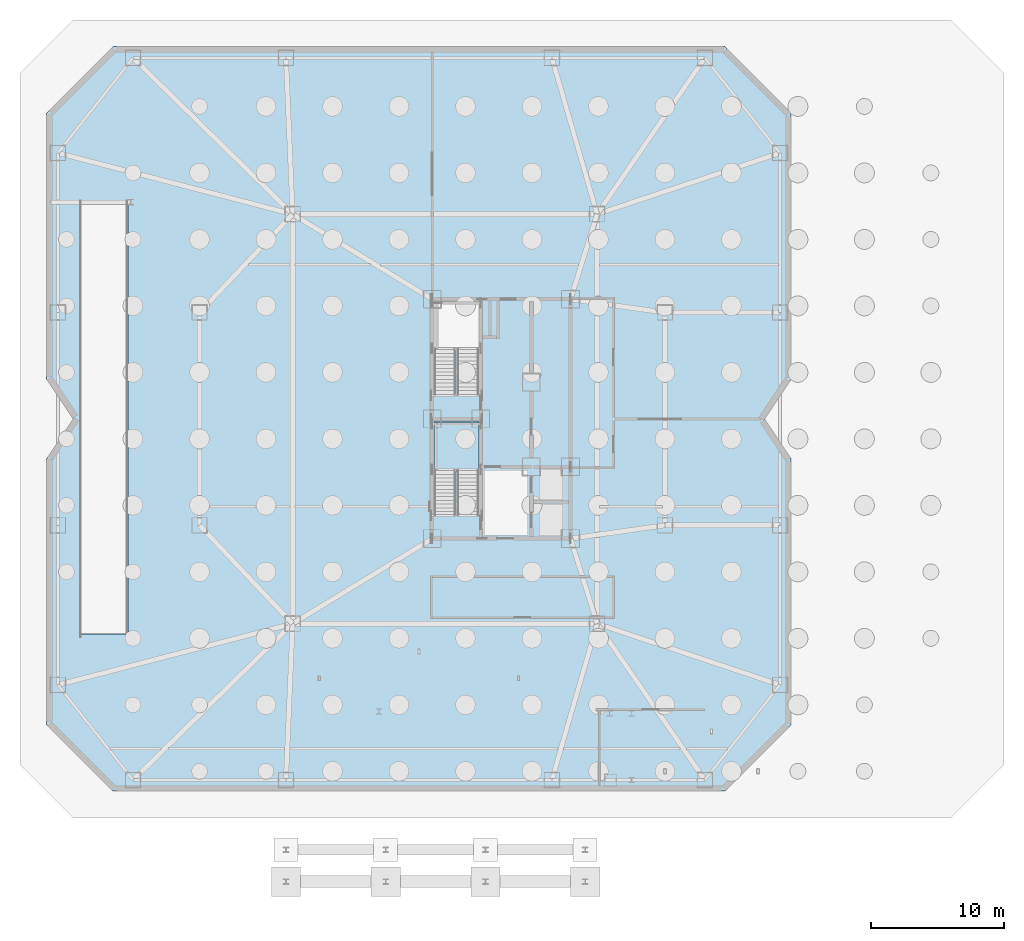
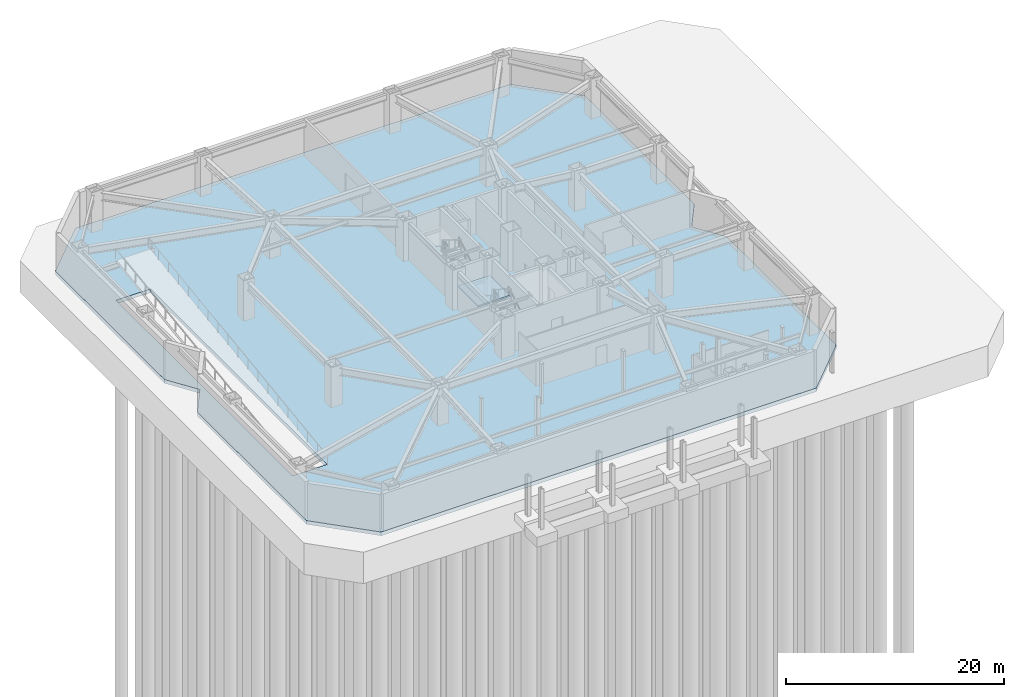
# One storey, part 8 of 15: 2 slabs, 1 element without a shape of its own.
"""IFC4 building model written with IfcOpenShell, lengths in metres."""

from ifc_helpers import new_model, si_unit, direction, frame, origin, place, context, subcontext, project, spatial, polyline, outline, extrude, material, layer, layer_set, type_object, element, aggregate, save


model = new_model("IFC4")

# Units and contexts
model_context = context("Model", 3, precision=1e-05, world=origin(), true_north=direction((0.0, 1.0)))
body_context = subcontext(model_context, "Body", "Model", "MODEL_VIEW")
ifc_project = project(units=[si_unit("LENGTHUNIT", "METRE"), si_unit("AREAUNIT", "SQUARE_METRE"), si_unit("VOLUMEUNIT", "CUBIC_METRE"), si_unit("PLANEANGLEUNIT", "RADIAN"), si_unit("MASSUNIT", "GRAM", prefix="KILO")], contexts=[model_context])

# Site, building, storey
site_placement = place(None, origin())
site = spatial("IfcSite", under=ifc_project, at=site_placement, CompositionType="ELEMENT")
building_placement = place(site_placement, origin())
building = spatial("IfcBuilding", under=site, at=building_placement, Name="Khamvora Tower", CompositionType="ELEMENT")
storey_placement = place(building_placement, frame((0.0, 0.0, -9.0)))
storey = spatial("IfcBuildingStorey", under=building, at=storey_placement, Name="B2", CompositionType="ELEMENT", Elevation=-9.0)

# Slab
ifc_material = material(Name="Concrete C40/50", Category="concrete")
ifc_layer_1 = layer(ifc_material, 0.419921875)
ifc_layer_set_1 = layer_set([ifc_layer_1], Name="Concrete C40/50")
slab_type_1 = type_object("IfcSlabType", Name="SLB-BASE-420", PredefinedType="FLOOR", material=ifc_layer_set_1)
slab_1_placement = place(storey_placement, frame((0.0, 0.0, -0.419921875)))
element("IfcSlab", 1, at=slab_1_placement, inside=storey, type_object=slab_type_1, Name="B2 structural floor slab", PredefinedType="FLOOR", context=body_context, shape_type="SweptSolid", body=[
    extrude(outline(polyline([(5.0, 0.0), (51.0, 0.0), (56.0, 5.0), (56.0, 25.0), (54.0, 28.0), (56.0, 31.0), (56.0, 51.0), (51.0, 56.0), (5.0, 56.0), (0.0, 51.0), (0.0, 31.0), (2.0, 28.0), (0.0, 25.0), (0.0, 5.0), (5.0, 0.0)]), holes=[polyline([(2.47998046875, 11.830078125), (6.1201171875, 11.830078125), (6.1201171875, 44.169921875), (2.47998046875, 44.169921875), (2.47998046875, 11.830078125)])]), origin(), (0.0, 0.0, 1.0), 0.419921875),
])

# Stair, slab
stair_type = type_object("IfcStairType", Name="STR-ST-01", PredefinedType="HALF_TURN_STAIR", material=ifc_material)
stair_placement = place(storey_placement, origin())
stair = element("IfcStair", 2, at=stair_placement, inside=storey, type_object=stair_type, Name="B2 South Tower Exit Stair ST-01", PredefinedType="HALF_TURN_STAIR")
ifc_layer_2 = layer(ifc_material, 0.199951171875)
ifc_layer_set_2 = layer_set([ifc_layer_2], Name="Concrete C40/50")
slab_type_2 = type_object("IfcSlabType", Name="SLB-LND-200", PredefinedType="LANDING", material=ifc_layer_set_2)
slab_2_placement = place(storey_placement, frame((0.0, 0.0, 2.050048828125)))
slab_2 = element("IfcSlab", 3, at=slab_2_placement, type_object=slab_type_2, Name="ST-01 landing 1", PredefinedType="LANDING", context=body_context, shape_type="SweptSolid", body=[
    extrude(outline(polyline([(32.5, 24.074951171875), (32.5, 27.75), (29.14990234375, 27.75), (29.14990234375, 24.074951171875), (32.5, 24.074951171875)])), origin(), (0.0, 0.0, 1.0), 0.199951171875),
])
aggregate(stair, [slab_2])

save(model, "model.ifc")
